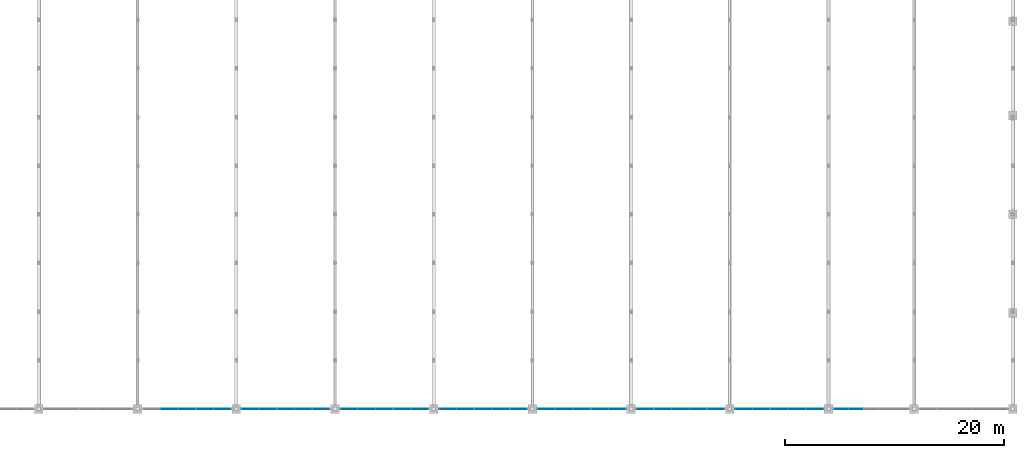
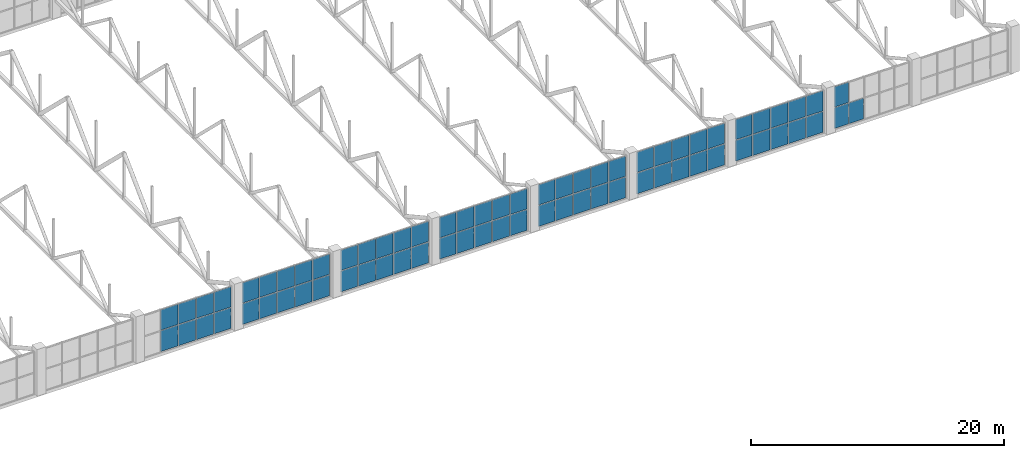
# One storey, part 77 of 103: 71 plates, 8 elements without a shape of their own.
"""IFC4 building model written with IfcOpenShell, lengths in metres."""

from ifc_helpers import new_model, si_unit, direction, frame, origin, origin_2d, place, context, subcontext, project, spatial, rectangle, extrude, material, layer, layer_set, type_object, element, aggregate, save


model = new_model("IFC4")

# Units and contexts
model_context = context("Model", 3, precision=1e-05, world=origin(), true_north=direction((0.0, 1.0)))
body_context = subcontext(model_context, "Body", "Model", "MODEL_VIEW")
ifc_project = project(units=[si_unit("LENGTHUNIT", "METRE"), si_unit("AREAUNIT", "SQUARE_METRE"), si_unit("VOLUMEUNIT", "CUBIC_METRE"), si_unit("PLANEANGLEUNIT", "RADIAN"), si_unit("MASSUNIT", "GRAM", prefix="KILO")], contexts=[model_context])

# Site, building, storey
site_placement = place(None, origin())
site = spatial("IfcSite", under=ifc_project, at=site_placement, CompositionType="ELEMENT")
building_placement = place(site_placement, origin())
building = spatial("IfcBuilding", under=site, at=building_placement, Name="Cazmaro Siding Exhibition Halls", CompositionType="ELEMENT")
storey_placement = place(building_placement, frame((0.0, 0.0, 16.5)))
storey = spatial("IfcBuildingStorey", under=building, at=storey_placement, Name="L03", CompositionType="ELEMENT", Elevation=16.5)

# Curtain wall, plates
ifc_material_1 = material(Name="Anodized Bronze Aluminum and Solar-Control Low-E Glazing", Category="aluminium")
ifc_layer_1 = layer(ifc_material_1, 0.159912109375)
ifc_layer_set_1 = layer_set([ifc_layer_1], Name="Anodized Bronze Aluminum and Solar-Control Low-E Glazing")
curtain_wall_type = type_object("IfcCurtainWallType", Name="CWS-04", PredefinedType="USERDEFINED", material=ifc_layer_set_1)
curtain_wall_1_placement = place(storey_placement, origin())
curtain_wall_1 = element("IfcCurtainWall", 1, at=curtain_wall_1_placement, inside=storey, type_object=curtain_wall_type, Name="Clerestory Curtain Wall CWS-04 CW-092", ObjectType="CLERESTORY CURTAIN WALL", PredefinedType="USERDEFINED")
ifc_material_2 = material(Name="Solar-Control Low-E Double Insulating Glass", Category="glass")
ifc_layer_2 = layer(ifc_material_2, 0.028076171875)
ifc_layer_set_2 = layer_set([ifc_layer_2], Name="Solar-Control Low-E Double Insulating Glass")
plate_type = type_object("IfcPlateType", Name="CWP-04", PredefinedType="CURTAIN_PANEL", material=ifc_layer_set_2)
plate_1_placement = place(storey_placement, frame((128.8779296875, 9.25, 0.06005859375), z_axis=(0.0, 0.0, 1.0), x_axis=(1.0, 0.0, 0.0)))
plate_1 = element("IfcPlate", 2, at=plate_1_placement, type_object=plate_type, Name="CWS-04 panel 2.1", PredefinedType="CURTAIN_PANEL", context=body_context, shape_type="SweptSolid", body=[
    extrude(rectangle(XDim=1.56201171875, YDim=0.028076171875, at=origin_2d()), origin(), (0.0, 0.0, 1.0), 2.010009765625),
])
plate_2_placement = place(storey_placement, frame((128.8779296875, 9.25, 2.130126953125), z_axis=(0.0, 0.0, 1.0), x_axis=(1.0, 0.0, 0.0)))
plate_2 = element("IfcPlate", 3, at=plate_2_placement, type_object=plate_type, Name="CWS-04 panel 2.2", PredefinedType="CURTAIN_PANEL", context=body_context, shape_type="SweptSolid", body=[
    extrude(rectangle(XDim=1.56201171875, YDim=0.028076171875, at=origin_2d()), origin(), (0.0, 0.0, 1.0), 1.9599609375),
])
plate_3_placement = place(storey_placement, frame((130.5, 9.25, 0.06005859375), z_axis=(0.0, 0.0, 1.0), x_axis=(1.0, 0.0, 0.0)))
plate_3 = element("IfcPlate", 4, at=plate_3_placement, type_object=plate_type, Name="CWS-04 panel 3.1", PredefinedType="CURTAIN_PANEL", context=body_context, shape_type="SweptSolid", body=[
    extrude(rectangle(XDim=1.56201171875, YDim=0.028076171875, at=origin_2d()), origin(), (0.0, 0.0, 1.0), 2.010009765625),
])
plate_4_placement = place(storey_placement, frame((130.5, 9.25, 2.130126953125), z_axis=(0.0, 0.0, 1.0), x_axis=(1.0, 0.0, 0.0)))
plate_4 = element("IfcPlate", 5, at=plate_4_placement, type_object=plate_type, Name="CWS-04 panel 3.2", PredefinedType="CURTAIN_PANEL", context=body_context, shape_type="SweptSolid", body=[
    extrude(rectangle(XDim=1.56201171875, YDim=0.028076171875, at=origin_2d()), origin(), (0.0, 0.0, 1.0), 1.9599609375),
])
plate_5_placement = place(storey_placement, frame((132.1220703125, 9.25, 0.06005859375), z_axis=(0.0, 0.0, 1.0), x_axis=(1.0, 0.0, 0.0)))
plate_5 = element("IfcPlate", 6, at=plate_5_placement, type_object=plate_type, Name="CWS-04 panel 4.1", PredefinedType="CURTAIN_PANEL", context=body_context, shape_type="SweptSolid", body=[
    extrude(rectangle(XDim=1.56201171875, YDim=0.028076171875, at=origin_2d()), origin(), (0.0, 0.0, 1.0), 2.010009765625),
])
plate_6_placement = place(storey_placement, frame((132.1220703125, 9.25, 2.130126953125), z_axis=(0.0, 0.0, 1.0), x_axis=(1.0, 0.0, 0.0)))
plate_6 = element("IfcPlate", 7, at=plate_6_placement, type_object=plate_type, Name="CWS-04 panel 4.2", PredefinedType="CURTAIN_PANEL", context=body_context, shape_type="SweptSolid", body=[
    extrude(rectangle(XDim=1.56201171875, YDim=0.028076171875, at=origin_2d()), origin(), (0.0, 0.0, 1.0), 1.9599609375),
])
plate_7_placement = place(storey_placement, frame((133.72900390625, 9.25, 0.06005859375), z_axis=(0.0, 0.0, 1.0), x_axis=(1.0, 0.0, 0.0)))
plate_7 = element("IfcPlate", 8, at=plate_7_placement, type_object=plate_type, Name="CWS-04 panel 5.1", PredefinedType="CURTAIN_PANEL", context=body_context, shape_type="SweptSolid", body=[
    extrude(rectangle(XDim=1.531982421875, YDim=0.028076171875, at=origin_2d()), origin(), (0.0, 0.0, 1.0), 2.010009765625),
])
plate_8_placement = place(storey_placement, frame((133.72900390625, 9.25, 2.130126953125), z_axis=(0.0, 0.0, 1.0), x_axis=(1.0, 0.0, 0.0)))
plate_8 = element("IfcPlate", 9, at=plate_8_placement, type_object=plate_type, Name="CWS-04 panel 5.2", PredefinedType="CURTAIN_PANEL", context=body_context, shape_type="SweptSolid", body=[
    extrude(rectangle(XDim=1.531982421875, YDim=0.028076171875, at=origin_2d()), origin(), (0.0, 0.0, 1.0), 1.9599609375),
])
aggregate(curtain_wall_1, [plate_1, plate_2, plate_3, plate_4, plate_5, plate_6, plate_7, plate_8])

curtain_wall_2_placement = place(storey_placement, origin())
curtain_wall_2 = element("IfcCurtainWall", 10, at=curtain_wall_2_placement, inside=storey, type_object=curtain_wall_type, Name="Clerestory Curtain Wall CWS-04 CW-094", ObjectType="CLERESTORY CURTAIN WALL", PredefinedType="USERDEFINED")
plate_9_placement = place(storey_placement, frame((136.27099609375, 9.25, 0.06005859375), z_axis=(0.0, 0.0, 1.0), x_axis=(1.0, 0.0, 0.0)))
plate_9 = element("IfcPlate", 11, at=plate_9_placement, type_object=plate_type, Name="CWS-04 panel 1.1", PredefinedType="CURTAIN_PANEL", context=body_context, shape_type="SweptSolid", body=[
    extrude(rectangle(XDim=1.531982421875, YDim=0.028076171875, at=origin_2d()), origin(), (0.0, 0.0, 1.0), 2.010009765625),
])
plate_10_placement = place(storey_placement, frame((136.27099609375, 9.25, 2.130126953125), z_axis=(0.0, 0.0, 1.0), x_axis=(1.0, 0.0, 0.0)))
plate_10 = element("IfcPlate", 12, at=plate_10_placement, type_object=plate_type, Name="CWS-04 panel 1.2", PredefinedType="CURTAIN_PANEL", context=body_context, shape_type="SweptSolid", body=[
    extrude(rectangle(XDim=1.531982421875, YDim=0.028076171875, at=origin_2d()), origin(), (0.0, 0.0, 1.0), 1.9599609375),
])
plate_11_placement = place(storey_placement, frame((137.8779296875, 9.25, 0.06005859375), z_axis=(0.0, 0.0, 1.0), x_axis=(1.0, 0.0, 0.0)))
plate_11 = element("IfcPlate", 13, at=plate_11_placement, type_object=plate_type, Name="CWS-04 panel 2.1", PredefinedType="CURTAIN_PANEL", context=body_context, shape_type="SweptSolid", body=[
    extrude(rectangle(XDim=1.56201171875, YDim=0.028076171875, at=origin_2d()), origin(), (0.0, 0.0, 1.0), 2.010009765625),
])
plate_12_placement = place(storey_placement, frame((137.8779296875, 9.25, 2.130126953125), z_axis=(0.0, 0.0, 1.0), x_axis=(1.0, 0.0, 0.0)))
plate_12 = element("IfcPlate", 14, at=plate_12_placement, type_object=plate_type, Name="CWS-04 panel 2.2", PredefinedType="CURTAIN_PANEL", context=body_context, shape_type="SweptSolid", body=[
    extrude(rectangle(XDim=1.56201171875, YDim=0.028076171875, at=origin_2d()), origin(), (0.0, 0.0, 1.0), 1.9599609375),
])
plate_13_placement = place(storey_placement, frame((139.5, 9.25, 0.06005859375), z_axis=(0.0, 0.0, 1.0), x_axis=(1.0, 0.0, 0.0)))
plate_13 = element("IfcPlate", 15, at=plate_13_placement, type_object=plate_type, Name="CWS-04 panel 3.1", PredefinedType="CURTAIN_PANEL", context=body_context, shape_type="SweptSolid", body=[
    extrude(rectangle(XDim=1.56201171875, YDim=0.028076171875, at=origin_2d()), origin(), (0.0, 0.0, 1.0), 2.010009765625),
])
plate_14_placement = place(storey_placement, frame((139.5, 9.25, 2.130126953125), z_axis=(0.0, 0.0, 1.0), x_axis=(1.0, 0.0, 0.0)))
plate_14 = element("IfcPlate", 16, at=plate_14_placement, type_object=plate_type, Name="CWS-04 panel 3.2", PredefinedType="CURTAIN_PANEL", context=body_context, shape_type="SweptSolid", body=[
    extrude(rectangle(XDim=1.56201171875, YDim=0.028076171875, at=origin_2d()), origin(), (0.0, 0.0, 1.0), 1.9599609375),
])
plate_15_placement = place(storey_placement, frame((141.1220703125, 9.25, 0.06005859375), z_axis=(0.0, 0.0, 1.0), x_axis=(1.0, 0.0, 0.0)))
plate_15 = element("IfcPlate", 17, at=plate_15_placement, type_object=plate_type, Name="CWS-04 panel 4.1", PredefinedType="CURTAIN_PANEL", context=body_context, shape_type="SweptSolid", body=[
    extrude(rectangle(XDim=1.56201171875, YDim=0.028076171875, at=origin_2d()), origin(), (0.0, 0.0, 1.0), 2.010009765625),
])
plate_16_placement = place(storey_placement, frame((141.1220703125, 9.25, 2.130126953125), z_axis=(0.0, 0.0, 1.0), x_axis=(1.0, 0.0, 0.0)))
plate_16 = element("IfcPlate", 18, at=plate_16_placement, type_object=plate_type, Name="CWS-04 panel 4.2", PredefinedType="CURTAIN_PANEL", context=body_context, shape_type="SweptSolid", body=[
    extrude(rectangle(XDim=1.56201171875, YDim=0.028076171875, at=origin_2d()), origin(), (0.0, 0.0, 1.0), 1.9599609375),
])
plate_17_placement = place(storey_placement, frame((142.72900390625, 9.25, 0.06005859375), z_axis=(0.0, 0.0, 1.0), x_axis=(1.0, 0.0, 0.0)))
plate_17 = element("IfcPlate", 19, at=plate_17_placement, type_object=plate_type, Name="CWS-04 panel 5.1", PredefinedType="CURTAIN_PANEL", context=body_context, shape_type="SweptSolid", body=[
    extrude(rectangle(XDim=1.531982421875, YDim=0.028076171875, at=origin_2d()), origin(), (0.0, 0.0, 1.0), 2.010009765625),
])
plate_18_placement = place(storey_placement, frame((142.72900390625, 9.25, 2.130126953125), z_axis=(0.0, 0.0, 1.0), x_axis=(1.0, 0.0, 0.0)))
plate_18 = element("IfcPlate", 20, at=plate_18_placement, type_object=plate_type, Name="CWS-04 panel 5.2", PredefinedType="CURTAIN_PANEL", context=body_context, shape_type="SweptSolid", body=[
    extrude(rectangle(XDim=1.531982421875, YDim=0.028076171875, at=origin_2d()), origin(), (0.0, 0.0, 1.0), 1.9599609375),
])
aggregate(curtain_wall_2, [plate_9, plate_10, plate_11, plate_12, plate_13, plate_14, plate_15, plate_16, plate_17, plate_18])

curtain_wall_3_placement = place(storey_placement, origin())
curtain_wall_3 = element("IfcCurtainWall", 21, at=curtain_wall_3_placement, inside=storey, type_object=curtain_wall_type, Name="Clerestory Curtain Wall CWS-04 CW-096", ObjectType="CLERESTORY CURTAIN WALL", PredefinedType="USERDEFINED")
plate_19_placement = place(storey_placement, frame((145.27099609375, 9.25, 0.06005859375), z_axis=(0.0, 0.0, 1.0), x_axis=(1.0, 0.0, 0.0)))
plate_19 = element("IfcPlate", 22, at=plate_19_placement, type_object=plate_type, Name="CWS-04 panel 1.1", PredefinedType="CURTAIN_PANEL", context=body_context, shape_type="SweptSolid", body=[
    extrude(rectangle(XDim=1.531982421875, YDim=0.028076171875, at=origin_2d()), origin(), (0.0, 0.0, 1.0), 2.010009765625),
])
plate_20_placement = place(storey_placement, frame((145.27099609375, 9.25, 2.130126953125), z_axis=(0.0, 0.0, 1.0), x_axis=(1.0, 0.0, 0.0)))
plate_20 = element("IfcPlate", 23, at=plate_20_placement, type_object=plate_type, Name="CWS-04 panel 1.2", PredefinedType="CURTAIN_PANEL", context=body_context, shape_type="SweptSolid", body=[
    extrude(rectangle(XDim=1.531982421875, YDim=0.028076171875, at=origin_2d()), origin(), (0.0, 0.0, 1.0), 1.9599609375),
])
plate_21_placement = place(storey_placement, frame((146.8779296875, 9.25, 0.06005859375), z_axis=(0.0, 0.0, 1.0), x_axis=(1.0, 0.0, 0.0)))
plate_21 = element("IfcPlate", 24, at=plate_21_placement, type_object=plate_type, Name="CWS-04 panel 2.1", PredefinedType="CURTAIN_PANEL", context=body_context, shape_type="SweptSolid", body=[
    extrude(rectangle(XDim=1.56201171875, YDim=0.028076171875, at=origin_2d()), origin(), (0.0, 0.0, 1.0), 2.010009765625),
])
plate_22_placement = place(storey_placement, frame((146.8779296875, 9.25, 2.130126953125), z_axis=(0.0, 0.0, 1.0), x_axis=(1.0, 0.0, 0.0)))
plate_22 = element("IfcPlate", 25, at=plate_22_placement, type_object=plate_type, Name="CWS-04 panel 2.2", PredefinedType="CURTAIN_PANEL", context=body_context, shape_type="SweptSolid", body=[
    extrude(rectangle(XDim=1.56201171875, YDim=0.028076171875, at=origin_2d()), origin(), (0.0, 0.0, 1.0), 1.9599609375),
])
plate_23_placement = place(storey_placement, frame((148.5, 9.25, 0.06005859375), z_axis=(0.0, 0.0, 1.0), x_axis=(1.0, 0.0, 0.0)))
plate_23 = element("IfcPlate", 26, at=plate_23_placement, type_object=plate_type, Name="CWS-04 panel 3.1", PredefinedType="CURTAIN_PANEL", context=body_context, shape_type="SweptSolid", body=[
    extrude(rectangle(XDim=1.56201171875, YDim=0.028076171875, at=origin_2d()), origin(), (0.0, 0.0, 1.0), 2.010009765625),
])
plate_24_placement = place(storey_placement, frame((148.5, 9.25, 2.130126953125), z_axis=(0.0, 0.0, 1.0), x_axis=(1.0, 0.0, 0.0)))
plate_24 = element("IfcPlate", 27, at=plate_24_placement, type_object=plate_type, Name="CWS-04 panel 3.2", PredefinedType="CURTAIN_PANEL", context=body_context, shape_type="SweptSolid", body=[
    extrude(rectangle(XDim=1.56201171875, YDim=0.028076171875, at=origin_2d()), origin(), (0.0, 0.0, 1.0), 1.9599609375),
])
plate_25_placement = place(storey_placement, frame((150.1220703125, 9.25, 0.06005859375), z_axis=(0.0, 0.0, 1.0), x_axis=(1.0, 0.0, 0.0)))
plate_25 = element("IfcPlate", 28, at=plate_25_placement, type_object=plate_type, Name="CWS-04 panel 4.1", PredefinedType="CURTAIN_PANEL", context=body_context, shape_type="SweptSolid", body=[
    extrude(rectangle(XDim=1.56201171875, YDim=0.028076171875, at=origin_2d()), origin(), (0.0, 0.0, 1.0), 2.010009765625),
])
plate_26_placement = place(storey_placement, frame((150.1220703125, 9.25, 2.130126953125), z_axis=(0.0, 0.0, 1.0), x_axis=(1.0, 0.0, 0.0)))
plate_26 = element("IfcPlate", 29, at=plate_26_placement, type_object=plate_type, Name="CWS-04 panel 4.2", PredefinedType="CURTAIN_PANEL", context=body_context, shape_type="SweptSolid", body=[
    extrude(rectangle(XDim=1.56201171875, YDim=0.028076171875, at=origin_2d()), origin(), (0.0, 0.0, 1.0), 1.9599609375),
])
plate_27_placement = place(storey_placement, frame((151.72900390625, 9.25, 0.06005859375), z_axis=(0.0, 0.0, 1.0), x_axis=(1.0, 0.0, 0.0)))
plate_27 = element("IfcPlate", 30, at=plate_27_placement, type_object=plate_type, Name="CWS-04 panel 5.1", PredefinedType="CURTAIN_PANEL", context=body_context, shape_type="SweptSolid", body=[
    extrude(rectangle(XDim=1.531982421875, YDim=0.028076171875, at=origin_2d()), origin(), (0.0, 0.0, 1.0), 2.010009765625),
])
plate_28_placement = place(storey_placement, frame((151.72900390625, 9.25, 2.130126953125), z_axis=(0.0, 0.0, 1.0), x_axis=(1.0, 0.0, 0.0)))
plate_28 = element("IfcPlate", 31, at=plate_28_placement, type_object=plate_type, Name="CWS-04 panel 5.2", PredefinedType="CURTAIN_PANEL", context=body_context, shape_type="SweptSolid", body=[
    extrude(rectangle(XDim=1.531982421875, YDim=0.028076171875, at=origin_2d()), origin(), (0.0, 0.0, 1.0), 1.9599609375),
])
aggregate(curtain_wall_3, [plate_19, plate_20, plate_21, plate_22, plate_23, plate_24, plate_25, plate_26, plate_27, plate_28])

curtain_wall_4_placement = place(storey_placement, origin())
curtain_wall_4 = element("IfcCurtainWall", 32, at=curtain_wall_4_placement, inside=storey, type_object=curtain_wall_type, Name="Clerestory Curtain Wall CWS-04 CW-098", ObjectType="CLERESTORY CURTAIN WALL", PredefinedType="USERDEFINED")
plate_29_placement = place(storey_placement, frame((154.27099609375, 9.25, 0.06005859375), z_axis=(0.0, 0.0, 1.0), x_axis=(1.0, 0.0, 0.0)))
plate_29 = element("IfcPlate", 33, at=plate_29_placement, type_object=plate_type, Name="CWS-04 panel 1.1", PredefinedType="CURTAIN_PANEL", context=body_context, shape_type="SweptSolid", body=[
    extrude(rectangle(XDim=1.531982421875, YDim=0.028076171875, at=origin_2d()), origin(), (0.0, 0.0, 1.0), 2.010009765625),
])
plate_30_placement = place(storey_placement, frame((154.27099609375, 9.25, 2.130126953125), z_axis=(0.0, 0.0, 1.0), x_axis=(1.0, 0.0, 0.0)))
plate_30 = element("IfcPlate", 34, at=plate_30_placement, type_object=plate_type, Name="CWS-04 panel 1.2", PredefinedType="CURTAIN_PANEL", context=body_context, shape_type="SweptSolid", body=[
    extrude(rectangle(XDim=1.531982421875, YDim=0.028076171875, at=origin_2d()), origin(), (0.0, 0.0, 1.0), 1.9599609375),
])
plate_31_placement = place(storey_placement, frame((155.8779296875, 9.25, 0.06005859375), z_axis=(0.0, 0.0, 1.0), x_axis=(1.0, 0.0, 0.0)))
plate_31 = element("IfcPlate", 35, at=plate_31_placement, type_object=plate_type, Name="CWS-04 panel 2.1", PredefinedType="CURTAIN_PANEL", context=body_context, shape_type="SweptSolid", body=[
    extrude(rectangle(XDim=1.56201171875, YDim=0.028076171875, at=origin_2d()), origin(), (0.0, 0.0, 1.0), 2.010009765625),
])
plate_32_placement = place(storey_placement, frame((155.8779296875, 9.25, 2.130126953125), z_axis=(0.0, 0.0, 1.0), x_axis=(1.0, 0.0, 0.0)))
plate_32 = element("IfcPlate", 36, at=plate_32_placement, type_object=plate_type, Name="CWS-04 panel 2.2", PredefinedType="CURTAIN_PANEL", context=body_context, shape_type="SweptSolid", body=[
    extrude(rectangle(XDim=1.56201171875, YDim=0.028076171875, at=origin_2d()), origin(), (0.0, 0.0, 1.0), 1.9599609375),
])
plate_33_placement = place(storey_placement, frame((157.5, 9.25, 0.06005859375), z_axis=(0.0, 0.0, 1.0), x_axis=(1.0, 0.0, 0.0)))
plate_33 = element("IfcPlate", 37, at=plate_33_placement, type_object=plate_type, Name="CWS-04 panel 3.1", PredefinedType="CURTAIN_PANEL", context=body_context, shape_type="SweptSolid", body=[
    extrude(rectangle(XDim=1.56201171875, YDim=0.028076171875, at=origin_2d()), origin(), (0.0, 0.0, 1.0), 2.010009765625),
])
plate_34_placement = place(storey_placement, frame((157.5, 9.25, 2.130126953125), z_axis=(0.0, 0.0, 1.0), x_axis=(1.0, 0.0, 0.0)))
plate_34 = element("IfcPlate", 38, at=plate_34_placement, type_object=plate_type, Name="CWS-04 panel 3.2", PredefinedType="CURTAIN_PANEL", context=body_context, shape_type="SweptSolid", body=[
    extrude(rectangle(XDim=1.56201171875, YDim=0.028076171875, at=origin_2d()), origin(), (0.0, 0.0, 1.0), 1.9599609375),
])
plate_35_placement = place(storey_placement, frame((159.1220703125, 9.25, 0.06005859375), z_axis=(0.0, 0.0, 1.0), x_axis=(1.0, 0.0, 0.0)))
plate_35 = element("IfcPlate", 39, at=plate_35_placement, type_object=plate_type, Name="CWS-04 panel 4.1", PredefinedType="CURTAIN_PANEL", context=body_context, shape_type="SweptSolid", body=[
    extrude(rectangle(XDim=1.56201171875, YDim=0.028076171875, at=origin_2d()), origin(), (0.0, 0.0, 1.0), 2.010009765625),
])
plate_36_placement = place(storey_placement, frame((159.1220703125, 9.25, 2.130126953125), z_axis=(0.0, 0.0, 1.0), x_axis=(1.0, 0.0, 0.0)))
plate_36 = element("IfcPlate", 40, at=plate_36_placement, type_object=plate_type, Name="CWS-04 panel 4.2", PredefinedType="CURTAIN_PANEL", context=body_context, shape_type="SweptSolid", body=[
    extrude(rectangle(XDim=1.56201171875, YDim=0.028076171875, at=origin_2d()), origin(), (0.0, 0.0, 1.0), 1.9599609375),
])
plate_37_placement = place(storey_placement, frame((160.72900390625, 9.25, 0.06005859375), z_axis=(0.0, 0.0, 1.0), x_axis=(1.0, 0.0, 0.0)))
plate_37 = element("IfcPlate", 41, at=plate_37_placement, type_object=plate_type, Name="CWS-04 panel 5.1", PredefinedType="CURTAIN_PANEL", context=body_context, shape_type="SweptSolid", body=[
    extrude(rectangle(XDim=1.531982421875, YDim=0.028076171875, at=origin_2d()), origin(), (0.0, 0.0, 1.0), 2.010009765625),
])
plate_38_placement = place(storey_placement, frame((160.72900390625, 9.25, 2.130126953125), z_axis=(0.0, 0.0, 1.0), x_axis=(1.0, 0.0, 0.0)))
plate_38 = element("IfcPlate", 42, at=plate_38_placement, type_object=plate_type, Name="CWS-04 panel 5.2", PredefinedType="CURTAIN_PANEL", context=body_context, shape_type="SweptSolid", body=[
    extrude(rectangle(XDim=1.531982421875, YDim=0.028076171875, at=origin_2d()), origin(), (0.0, 0.0, 1.0), 1.9599609375),
])
aggregate(curtain_wall_4, [plate_29, plate_30, plate_31, plate_32, plate_33, plate_34, plate_35, plate_36, plate_37, plate_38])

curtain_wall_5_placement = place(storey_placement, origin())
curtain_wall_5 = element("IfcCurtainWall", 43, at=curtain_wall_5_placement, inside=storey, type_object=curtain_wall_type, Name="Clerestory Curtain Wall CWS-04 CW-100", ObjectType="CLERESTORY CURTAIN WALL", PredefinedType="USERDEFINED")
plate_39_placement = place(storey_placement, frame((163.27099609375, 9.25, 0.06005859375), z_axis=(0.0, 0.0, 1.0), x_axis=(1.0, 0.0, 0.0)))
plate_39 = element("IfcPlate", 44, at=plate_39_placement, type_object=plate_type, Name="CWS-04 panel 1.1", PredefinedType="CURTAIN_PANEL", context=body_context, shape_type="SweptSolid", body=[
    extrude(rectangle(XDim=1.531982421875, YDim=0.028076171875, at=origin_2d()), origin(), (0.0, 0.0, 1.0), 2.010009765625),
])
plate_40_placement = place(storey_placement, frame((163.27099609375, 9.25, 2.130126953125), z_axis=(0.0, 0.0, 1.0), x_axis=(1.0, 0.0, 0.0)))
plate_40 = element("IfcPlate", 45, at=plate_40_placement, type_object=plate_type, Name="CWS-04 panel 1.2", PredefinedType="CURTAIN_PANEL", context=body_context, shape_type="SweptSolid", body=[
    extrude(rectangle(XDim=1.531982421875, YDim=0.028076171875, at=origin_2d()), origin(), (0.0, 0.0, 1.0), 1.9599609375),
])
plate_41_placement = place(storey_placement, frame((164.8779296875, 9.25, 0.06005859375), z_axis=(0.0, 0.0, 1.0), x_axis=(1.0, 0.0, 0.0)))
plate_41 = element("IfcPlate", 46, at=plate_41_placement, type_object=plate_type, Name="CWS-04 panel 2.1", PredefinedType="CURTAIN_PANEL", context=body_context, shape_type="SweptSolid", body=[
    extrude(rectangle(XDim=1.56201171875, YDim=0.028076171875, at=origin_2d()), origin(), (0.0, 0.0, 1.0), 2.010009765625),
])
plate_42_placement = place(storey_placement, frame((164.8779296875, 9.25, 2.130126953125), z_axis=(0.0, 0.0, 1.0), x_axis=(1.0, 0.0, 0.0)))
plate_42 = element("IfcPlate", 47, at=plate_42_placement, type_object=plate_type, Name="CWS-04 panel 2.2", PredefinedType="CURTAIN_PANEL", context=body_context, shape_type="SweptSolid", body=[
    extrude(rectangle(XDim=1.56201171875, YDim=0.028076171875, at=origin_2d()), origin(), (0.0, 0.0, 1.0), 1.9599609375),
])
plate_43_placement = place(storey_placement, frame((166.5, 9.25, 0.06005859375), z_axis=(0.0, 0.0, 1.0), x_axis=(1.0, 0.0, 0.0)))
plate_43 = element("IfcPlate", 48, at=plate_43_placement, type_object=plate_type, Name="CWS-04 panel 3.1", PredefinedType="CURTAIN_PANEL", context=body_context, shape_type="SweptSolid", body=[
    extrude(rectangle(XDim=1.56201171875, YDim=0.028076171875, at=origin_2d()), origin(), (0.0, 0.0, 1.0), 2.010009765625),
])
plate_44_placement = place(storey_placement, frame((166.5, 9.25, 2.130126953125), z_axis=(0.0, 0.0, 1.0), x_axis=(1.0, 0.0, 0.0)))
plate_44 = element("IfcPlate", 49, at=plate_44_placement, type_object=plate_type, Name="CWS-04 panel 3.2", PredefinedType="CURTAIN_PANEL", context=body_context, shape_type="SweptSolid", body=[
    extrude(rectangle(XDim=1.56201171875, YDim=0.028076171875, at=origin_2d()), origin(), (0.0, 0.0, 1.0), 1.9599609375),
])
plate_45_placement = place(storey_placement, frame((168.1220703125, 9.25, 0.06005859375), z_axis=(0.0, 0.0, 1.0), x_axis=(1.0, 0.0, 0.0)))
plate_45 = element("IfcPlate", 50, at=plate_45_placement, type_object=plate_type, Name="CWS-04 panel 4.1", PredefinedType="CURTAIN_PANEL", context=body_context, shape_type="SweptSolid", body=[
    extrude(rectangle(XDim=1.56201171875, YDim=0.028076171875, at=origin_2d()), origin(), (0.0, 0.0, 1.0), 2.010009765625),
])
plate_46_placement = place(storey_placement, frame((168.1220703125, 9.25, 2.130126953125), z_axis=(0.0, 0.0, 1.0), x_axis=(1.0, 0.0, 0.0)))
plate_46 = element("IfcPlate", 51, at=plate_46_placement, type_object=plate_type, Name="CWS-04 panel 4.2", PredefinedType="CURTAIN_PANEL", context=body_context, shape_type="SweptSolid", body=[
    extrude(rectangle(XDim=1.56201171875, YDim=0.028076171875, at=origin_2d()), origin(), (0.0, 0.0, 1.0), 1.9599609375),
])
plate_47_placement = place(storey_placement, frame((169.72900390625, 9.25, 0.06005859375), z_axis=(0.0, 0.0, 1.0), x_axis=(1.0, 0.0, 0.0)))
plate_47 = element("IfcPlate", 52, at=plate_47_placement, type_object=plate_type, Name="CWS-04 panel 5.1", PredefinedType="CURTAIN_PANEL", context=body_context, shape_type="SweptSolid", body=[
    extrude(rectangle(XDim=1.531982421875, YDim=0.028076171875, at=origin_2d()), origin(), (0.0, 0.0, 1.0), 2.010009765625),
])
plate_48_placement = place(storey_placement, frame((169.72900390625, 9.25, 2.130126953125), z_axis=(0.0, 0.0, 1.0), x_axis=(1.0, 0.0, 0.0)))
plate_48 = element("IfcPlate", 53, at=plate_48_placement, type_object=plate_type, Name="CWS-04 panel 5.2", PredefinedType="CURTAIN_PANEL", context=body_context, shape_type="SweptSolid", body=[
    extrude(rectangle(XDim=1.531982421875, YDim=0.028076171875, at=origin_2d()), origin(), (0.0, 0.0, 1.0), 1.9599609375),
])
aggregate(curtain_wall_5, [plate_39, plate_40, plate_41, plate_42, plate_43, plate_44, plate_45, plate_46, plate_47, plate_48])

curtain_wall_6_placement = place(storey_placement, origin())
curtain_wall_6 = element("IfcCurtainWall", 54, at=curtain_wall_6_placement, inside=storey, type_object=curtain_wall_type, Name="Clerestory Curtain Wall CWS-04 CW-102", ObjectType="CLERESTORY CURTAIN WALL", PredefinedType="USERDEFINED")
plate_49_placement = place(storey_placement, frame((172.27099609375, 9.25, 0.06005859375), z_axis=(0.0, 0.0, 1.0), x_axis=(1.0, 0.0, 0.0)))
plate_49 = element("IfcPlate", 55, at=plate_49_placement, type_object=plate_type, Name="CWS-04 panel 1.1", PredefinedType="CURTAIN_PANEL", context=body_context, shape_type="SweptSolid", body=[
    extrude(rectangle(XDim=1.531982421875, YDim=0.028076171875, at=origin_2d()), origin(), (0.0, 0.0, 1.0), 2.010009765625),
])
plate_50_placement = place(storey_placement, frame((172.27099609375, 9.25, 2.130126953125), z_axis=(0.0, 0.0, 1.0), x_axis=(1.0, 0.0, 0.0)))
plate_50 = element("IfcPlate", 56, at=plate_50_placement, type_object=plate_type, Name="CWS-04 panel 1.2", PredefinedType="CURTAIN_PANEL", context=body_context, shape_type="SweptSolid", body=[
    extrude(rectangle(XDim=1.531982421875, YDim=0.028076171875, at=origin_2d()), origin(), (0.0, 0.0, 1.0), 1.9599609375),
])
plate_51_placement = place(storey_placement, frame((173.8779296875, 9.25, 0.06005859375), z_axis=(0.0, 0.0, 1.0), x_axis=(1.0, 0.0, 0.0)))
plate_51 = element("IfcPlate", 57, at=plate_51_placement, type_object=plate_type, Name="CWS-04 panel 2.1", PredefinedType="CURTAIN_PANEL", context=body_context, shape_type="SweptSolid", body=[
    extrude(rectangle(XDim=1.56201171875, YDim=0.028076171875, at=origin_2d()), origin(), (0.0, 0.0, 1.0), 2.010009765625),
])
plate_52_placement = place(storey_placement, frame((173.8779296875, 9.25, 2.130126953125), z_axis=(0.0, 0.0, 1.0), x_axis=(1.0, 0.0, 0.0)))
plate_52 = element("IfcPlate", 58, at=plate_52_placement, type_object=plate_type, Name="CWS-04 panel 2.2", PredefinedType="CURTAIN_PANEL", context=body_context, shape_type="SweptSolid", body=[
    extrude(rectangle(XDim=1.56201171875, YDim=0.028076171875, at=origin_2d()), origin(), (0.0, 0.0, 1.0), 1.9599609375),
])
plate_53_placement = place(storey_placement, frame((175.5, 9.25, 0.06005859375), z_axis=(0.0, 0.0, 1.0), x_axis=(1.0, 0.0, 0.0)))
plate_53 = element("IfcPlate", 59, at=plate_53_placement, type_object=plate_type, Name="CWS-04 panel 3.1", PredefinedType="CURTAIN_PANEL", context=body_context, shape_type="SweptSolid", body=[
    extrude(rectangle(XDim=1.56201171875, YDim=0.028076171875, at=origin_2d()), origin(), (0.0, 0.0, 1.0), 2.010009765625),
])
plate_54_placement = place(storey_placement, frame((175.5, 9.25, 2.130126953125), z_axis=(0.0, 0.0, 1.0), x_axis=(1.0, 0.0, 0.0)))
plate_54 = element("IfcPlate", 60, at=plate_54_placement, type_object=plate_type, Name="CWS-04 panel 3.2", PredefinedType="CURTAIN_PANEL", context=body_context, shape_type="SweptSolid", body=[
    extrude(rectangle(XDim=1.56201171875, YDim=0.028076171875, at=origin_2d()), origin(), (0.0, 0.0, 1.0), 1.9599609375),
])
plate_55_placement = place(storey_placement, frame((177.1220703125, 9.25, 0.06005859375), z_axis=(0.0, 0.0, 1.0), x_axis=(1.0, 0.0, 0.0)))
plate_55 = element("IfcPlate", 61, at=plate_55_placement, type_object=plate_type, Name="CWS-04 panel 4.1", PredefinedType="CURTAIN_PANEL", context=body_context, shape_type="SweptSolid", body=[
    extrude(rectangle(XDim=1.56201171875, YDim=0.028076171875, at=origin_2d()), origin(), (0.0, 0.0, 1.0), 2.010009765625),
])
plate_56_placement = place(storey_placement, frame((177.1220703125, 9.25, 2.130126953125), z_axis=(0.0, 0.0, 1.0), x_axis=(1.0, 0.0, 0.0)))
plate_56 = element("IfcPlate", 62, at=plate_56_placement, type_object=plate_type, Name="CWS-04 panel 4.2", PredefinedType="CURTAIN_PANEL", context=body_context, shape_type="SweptSolid", body=[
    extrude(rectangle(XDim=1.56201171875, YDim=0.028076171875, at=origin_2d()), origin(), (0.0, 0.0, 1.0), 1.9599609375),
])
plate_57_placement = place(storey_placement, frame((178.72900390625, 9.25, 0.06005859375), z_axis=(0.0, 0.0, 1.0), x_axis=(1.0, 0.0, 0.0)))
plate_57 = element("IfcPlate", 63, at=plate_57_placement, type_object=plate_type, Name="CWS-04 panel 5.1", PredefinedType="CURTAIN_PANEL", context=body_context, shape_type="SweptSolid", body=[
    extrude(rectangle(XDim=1.531982421875, YDim=0.028076171875, at=origin_2d()), origin(), (0.0, 0.0, 1.0), 2.010009765625),
])
plate_58_placement = place(storey_placement, frame((178.72900390625, 9.25, 2.130126953125), z_axis=(0.0, 0.0, 1.0), x_axis=(1.0, 0.0, 0.0)))
plate_58 = element("IfcPlate", 64, at=plate_58_placement, type_object=plate_type, Name="CWS-04 panel 5.2", PredefinedType="CURTAIN_PANEL", context=body_context, shape_type="SweptSolid", body=[
    extrude(rectangle(XDim=1.531982421875, YDim=0.028076171875, at=origin_2d()), origin(), (0.0, 0.0, 1.0), 1.9599609375),
])
aggregate(curtain_wall_6, [plate_49, plate_50, plate_51, plate_52, plate_53, plate_54, plate_55, plate_56, plate_57, plate_58])

curtain_wall_7_placement = place(storey_placement, origin())
curtain_wall_7 = element("IfcCurtainWall", 65, at=curtain_wall_7_placement, inside=storey, type_object=curtain_wall_type, Name="Clerestory Curtain Wall CWS-04 CW-104", ObjectType="CLERESTORY CURTAIN WALL", PredefinedType="USERDEFINED")
plate_59_placement = place(storey_placement, frame((181.27099609375, 9.25, 0.06005859375), z_axis=(0.0, 0.0, 1.0), x_axis=(1.0, 0.0, 0.0)))
plate_59 = element("IfcPlate", 66, at=plate_59_placement, type_object=plate_type, Name="CWS-04 panel 1.1", PredefinedType="CURTAIN_PANEL", context=body_context, shape_type="SweptSolid", body=[
    extrude(rectangle(XDim=1.531982421875, YDim=0.028076171875, at=origin_2d()), origin(), (0.0, 0.0, 1.0), 2.010009765625),
])
plate_60_placement = place(storey_placement, frame((181.27099609375, 9.25, 2.130126953125), z_axis=(0.0, 0.0, 1.0), x_axis=(1.0, 0.0, 0.0)))
plate_60 = element("IfcPlate", 67, at=plate_60_placement, type_object=plate_type, Name="CWS-04 panel 1.2", PredefinedType="CURTAIN_PANEL", context=body_context, shape_type="SweptSolid", body=[
    extrude(rectangle(XDim=1.531982421875, YDim=0.028076171875, at=origin_2d()), origin(), (0.0, 0.0, 1.0), 1.9599609375),
])
plate_61_placement = place(storey_placement, frame((182.8779296875, 9.25, 0.06005859375), z_axis=(0.0, 0.0, 1.0), x_axis=(1.0, 0.0, 0.0)))
plate_61 = element("IfcPlate", 68, at=plate_61_placement, type_object=plate_type, Name="CWS-04 panel 2.1", PredefinedType="CURTAIN_PANEL", context=body_context, shape_type="SweptSolid", body=[
    extrude(rectangle(XDim=1.56201171875, YDim=0.028076171875, at=origin_2d()), origin(), (0.0, 0.0, 1.0), 2.010009765625),
])
plate_62_placement = place(storey_placement, frame((182.8779296875, 9.25, 2.130126953125), z_axis=(0.0, 0.0, 1.0), x_axis=(1.0, 0.0, 0.0)))
plate_62 = element("IfcPlate", 69, at=plate_62_placement, type_object=plate_type, Name="CWS-04 panel 2.2", PredefinedType="CURTAIN_PANEL", context=body_context, shape_type="SweptSolid", body=[
    extrude(rectangle(XDim=1.56201171875, YDim=0.028076171875, at=origin_2d()), origin(), (0.0, 0.0, 1.0), 1.9599609375),
])
plate_63_placement = place(storey_placement, frame((184.5, 9.25, 0.06005859375), z_axis=(0.0, 0.0, 1.0), x_axis=(1.0, 0.0, 0.0)))
plate_63 = element("IfcPlate", 70, at=plate_63_placement, type_object=plate_type, Name="CWS-04 panel 3.1", PredefinedType="CURTAIN_PANEL", context=body_context, shape_type="SweptSolid", body=[
    extrude(rectangle(XDim=1.56201171875, YDim=0.028076171875, at=origin_2d()), origin(), (0.0, 0.0, 1.0), 2.010009765625),
])
plate_64_placement = place(storey_placement, frame((184.5, 9.25, 2.130126953125), z_axis=(0.0, 0.0, 1.0), x_axis=(1.0, 0.0, 0.0)))
plate_64 = element("IfcPlate", 71, at=plate_64_placement, type_object=plate_type, Name="CWS-04 panel 3.2", PredefinedType="CURTAIN_PANEL", context=body_context, shape_type="SweptSolid", body=[
    extrude(rectangle(XDim=1.56201171875, YDim=0.028076171875, at=origin_2d()), origin(), (0.0, 0.0, 1.0), 1.9599609375),
])
plate_65_placement = place(storey_placement, frame((186.1220703125, 9.25, 0.06005859375), z_axis=(0.0, 0.0, 1.0), x_axis=(1.0, 0.0, 0.0)))
plate_65 = element("IfcPlate", 72, at=plate_65_placement, type_object=plate_type, Name="CWS-04 panel 4.1", PredefinedType="CURTAIN_PANEL", context=body_context, shape_type="SweptSolid", body=[
    extrude(rectangle(XDim=1.56201171875, YDim=0.028076171875, at=origin_2d()), origin(), (0.0, 0.0, 1.0), 2.010009765625),
])
plate_66_placement = place(storey_placement, frame((186.1220703125, 9.25, 2.130126953125), z_axis=(0.0, 0.0, 1.0), x_axis=(1.0, 0.0, 0.0)))
plate_66 = element("IfcPlate", 73, at=plate_66_placement, type_object=plate_type, Name="CWS-04 panel 4.2", PredefinedType="CURTAIN_PANEL", context=body_context, shape_type="SweptSolid", body=[
    extrude(rectangle(XDim=1.56201171875, YDim=0.028076171875, at=origin_2d()), origin(), (0.0, 0.0, 1.0), 1.9599609375),
])
plate_67_placement = place(storey_placement, frame((187.72900390625, 9.25, 0.06005859375), z_axis=(0.0, 0.0, 1.0), x_axis=(1.0, 0.0, 0.0)))
plate_67 = element("IfcPlate", 74, at=plate_67_placement, type_object=plate_type, Name="CWS-04 panel 5.1", PredefinedType="CURTAIN_PANEL", context=body_context, shape_type="SweptSolid", body=[
    extrude(rectangle(XDim=1.531982421875, YDim=0.028076171875, at=origin_2d()), origin(), (0.0, 0.0, 1.0), 2.010009765625),
])
plate_68_placement = place(storey_placement, frame((187.72900390625, 9.25, 2.130126953125), z_axis=(0.0, 0.0, 1.0), x_axis=(1.0, 0.0, 0.0)))
plate_68 = element("IfcPlate", 75, at=plate_68_placement, type_object=plate_type, Name="CWS-04 panel 5.2", PredefinedType="CURTAIN_PANEL", context=body_context, shape_type="SweptSolid", body=[
    extrude(rectangle(XDim=1.531982421875, YDim=0.028076171875, at=origin_2d()), origin(), (0.0, 0.0, 1.0), 1.9599609375),
])
aggregate(curtain_wall_7, [plate_59, plate_60, plate_61, plate_62, plate_63, plate_64, plate_65, plate_66, plate_67, plate_68])

curtain_wall_8_placement = place(storey_placement, origin())
curtain_wall_8 = element("IfcCurtainWall", 76, at=curtain_wall_8_placement, inside=storey, type_object=curtain_wall_type, Name="Clerestory Curtain Wall CWS-04 CW-106", ObjectType="CLERESTORY CURTAIN WALL", PredefinedType="USERDEFINED")
plate_69_placement = place(storey_placement, frame((190.15087890625, 9.25, 0.06005859375), z_axis=(0.0, 0.0, 1.0), x_axis=(1.0, 0.0, 0.0)))
plate_69 = element("IfcPlate", 77, at=plate_69_placement, type_object=plate_type, Name="CWS-04 panel 1.1", PredefinedType="CURTAIN_PANEL", context=body_context, shape_type="SweptSolid", body=[
    extrude(rectangle(XDim=1.2919921875, YDim=0.028076171875, at=origin_2d()), origin(), (0.0, 0.0, 1.0), 2.010009765625),
])
plate_70_placement = place(storey_placement, frame((190.15087890625, 9.25, 2.130126953125), z_axis=(0.0, 0.0, 1.0), x_axis=(1.0, 0.0, 0.0)))
plate_70 = element("IfcPlate", 78, at=plate_70_placement, type_object=plate_type, Name="CWS-04 panel 1.2", PredefinedType="CURTAIN_PANEL", context=body_context, shape_type="SweptSolid", body=[
    extrude(rectangle(XDim=1.2919921875, YDim=0.028076171875, at=origin_2d()), origin(), (0.0, 0.0, 1.0), 1.9599609375),
])
plate_71_placement = place(storey_placement, frame((191.51806640625, 9.25, 0.06005859375), z_axis=(0.0, 0.0, 1.0), x_axis=(1.0, 0.0, 0.0)))
plate_71 = element("IfcPlate", 79, at=plate_71_placement, type_object=plate_type, Name="CWS-04 panel 2.1", PredefinedType="CURTAIN_PANEL", context=body_context, shape_type="SweptSolid", body=[
    extrude(rectangle(XDim=1.322021484375, YDim=0.028076171875, at=origin_2d()), origin(), (0.0, 0.0, 1.0), 2.010009765625),
])
aggregate(curtain_wall_8, [plate_69, plate_70, plate_71])

save(model, "model.ifc")
